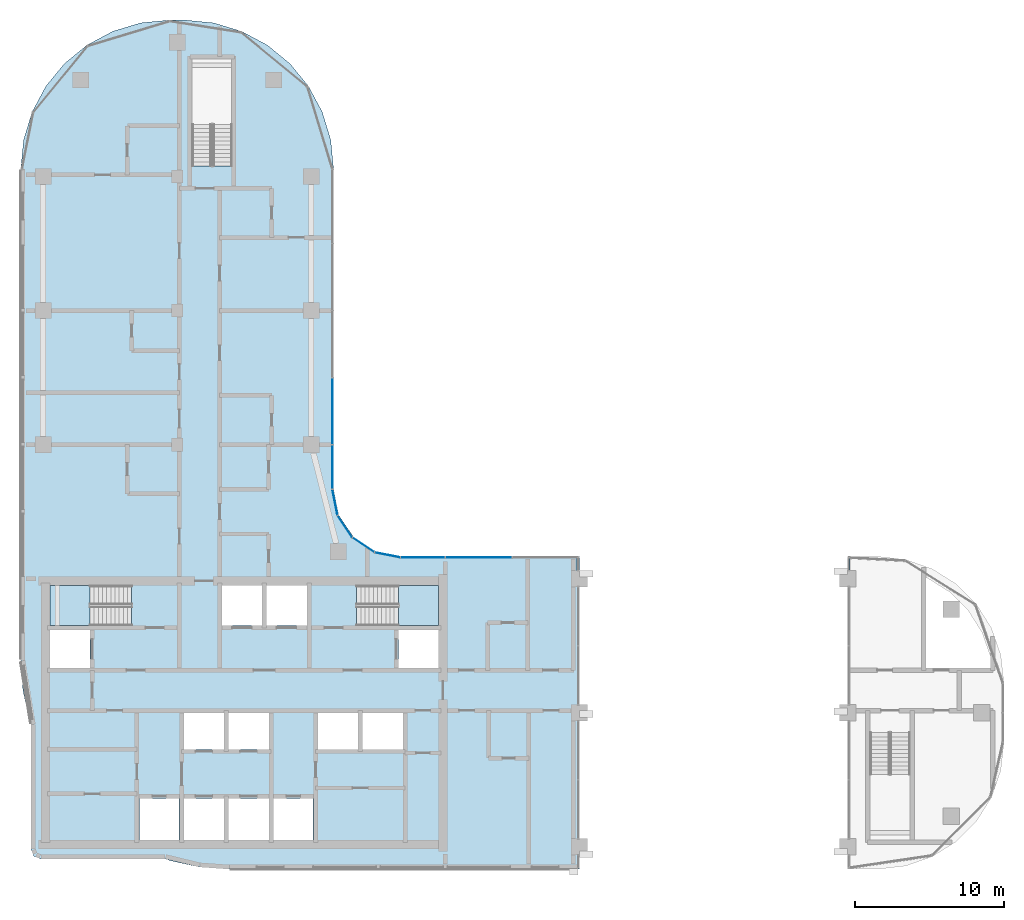
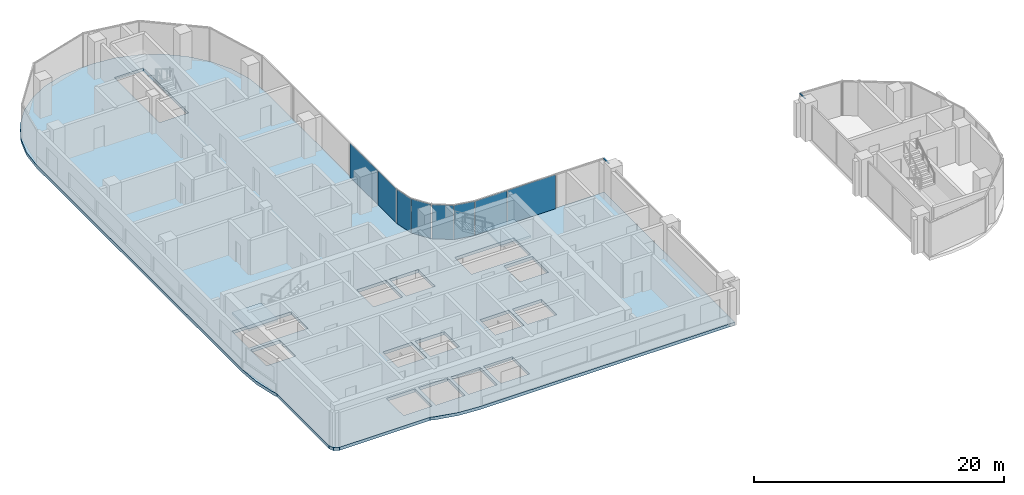
# One storey, part 7 of 23: 8 plates, 3 slabs, 2 members, 7 elements without a shape of their own.
"""IFC4 building model written with IfcOpenShell, lengths in metres."""

from ifc_helpers import new_model, si_unit, direction, frame, origin, origin_2d, place, context, subcontext, project, spatial, polyline, rectangle, outline, extrude, material, layer, layer_set, material_profile, profile_set, type_object, element, aggregate, save


model = new_model("IFC4")

# Units and contexts
model_context = context("Model", 3, precision=1e-05, world=origin(), true_north=direction((0.0, 1.0)))
body_context = subcontext(model_context, "Body", "Model", "MODEL_VIEW")
ifc_project = project(units=[si_unit("LENGTHUNIT", "METRE"), si_unit("AREAUNIT", "SQUARE_METRE"), si_unit("VOLUMEUNIT", "CUBIC_METRE"), si_unit("PLANEANGLEUNIT", "RADIAN"), si_unit("MASSUNIT", "GRAM", prefix="KILO")], contexts=[model_context])

# Site, building, storey
site_placement = place(None, origin())
site = spatial("IfcSite", under=ifc_project, at=site_placement, CompositionType="ELEMENT")
building_placement = place(site_placement, origin())
building = spatial("IfcBuilding", under=site, at=building_placement, Name="Ogive Portal Towers", CompositionType="ELEMENT")
storey_placement = place(building_placement, frame((0.0, 0.0, 149.60009765625)))
storey = spatial("IfcBuildingStorey", under=building, at=storey_placement, Name="L36", CompositionType="ELEMENT", Elevation=149.60009765625)

# Curtain wall, member
ifc_material_1 = material(Name="Glass, clear low-iron insulated glazing", Category="glass")
curtain_wall_type_1 = type_object("IfcCurtainWallType", Name="CW PORTAL REVEAL", PredefinedType="NOTDEFINED", material=ifc_material_1)
curtain_wall_1_placement = place(storey_placement, origin())
curtain_wall_1 = element("IfcCurtainWall", 1, at=curtain_wall_1_placement, inside=storey, type_object=curtain_wall_type_1, Name="A:L36:f07:cw0~3", PredefinedType="NOTDEFINED")
ifc_material_2 = material(Name="Aluminium 6063 anodised", Category="aluminium")
ifc_material_profile = material_profile(ifc_material_2, rectangle(XDim=0.1201171875, YDim=0.06005859375, at=origin_2d()), Name="AL 120x60")
ifc_profile_set = profile_set([ifc_material_profile], Name="Aluminium 6063 anodised")
member_type = type_object("IfcMemberType", Name="CW TRANSOM 60x120", PredefinedType="USERDEFINED", material=ifc_profile_set)
member_1_placement = place(storey_placement, frame((67.419921875, 40.050048828125, 3.369873046875), z_axis=(0.0, 1.0, 0.0), x_axis=(-1.0, 0.0, 0.0)))
member_1 = element("IfcMember", 2, at=member_1_placement, type_object=member_type, Name="transom", ObjectType="TRANSOM", PredefinedType="USERDEFINED", context=body_context, shape_type="SweptSolid", body=[
    extrude(rectangle(XDim=0.1201171875, YDim=0.06005859375, at=origin_2d()), origin(), (0.0, 0.0, 1.0), 0.869873046875),
])
aggregate(curtain_wall_1, [member_1])

curtain_wall_2_placement = place(storey_placement, origin())
curtain_wall_2 = element("IfcCurtainWall", 3, at=curtain_wall_2_placement, inside=storey, type_object=curtain_wall_type_1, Name="A:L36:f22:cw0~0", PredefinedType="NOTDEFINED")
member_2_placement = place(storey_placement, frame((85.580078125, 40.91552734375, 3.369873046875), z_axis=(0.0, -1.0, 0.0), x_axis=(1.0, 0.0, 0.0)))
member_2 = element("IfcMember", 4, at=member_2_placement, type_object=member_type, Name="transom", ObjectType="TRANSOM", PredefinedType="USERDEFINED", context=body_context, shape_type="SweptSolid", body=[
    extrude(rectangle(XDim=0.1201171875, YDim=0.06005859375, at=origin_2d()), origin(), (0.0, 0.0, 1.0), 0.865478515625),
])
aggregate(curtain_wall_2, [member_2])

# Curtain wall, plates
curtain_wall_type_2 = type_object("IfcCurtainWallType", Name="CW FRONT RIBBON 4500", PredefinedType="NOTDEFINED", material=ifc_material_1)
curtain_wall_3_placement = place(storey_placement, origin())
curtain_wall_3 = element("IfcCurtainWall", 5, at=curtain_wall_3_placement, inside=storey, type_object=curtain_wall_type_2, Name="A:L36:f08:cw0", PredefinedType="NOTDEFINED")
ifc_layer_1 = layer(ifc_material_1, 0.028076171875)
ifc_layer_set_1 = layer_set([ifc_layer_1], Name="CW PANEL IGU 28")
plate_type = type_object("IfcPlateType", Name="CW PANEL IGU 28", PredefinedType="CURTAIN_PANEL", material=ifc_layer_set_1)
plate_1_placement = place(storey_placement, frame((60.75, 40.919921875, 0.0), z_axis=(0.0, 0.0, 1.0), x_axis=(-1.0, 0.0, 0.0)))
plate_1 = element("IfcPlate", 6, at=plate_1_placement, type_object=plate_type, Name="panel", PredefinedType="CURTAIN_PANEL", context=body_context, shape_type="SweptSolid", body=[
    extrude(rectangle(XDim=4.43994140625, YDim=0.028076171875, at=origin_2d()), origin(), (0.0, 0.0, 1.0), 3.340087890625),
])
plate_2_placement = place(storey_placement, frame((56.99609375, 40.919921875, 0.0), z_axis=(0.0, 0.0, 1.0), x_axis=(-1.0, 0.0, 0.0)))
plate_2 = element("IfcPlate", 7, at=plate_2_placement, type_object=plate_type, Name="panel", PredefinedType="CURTAIN_PANEL", context=body_context, shape_type="SweptSolid", body=[
    extrude(rectangle(XDim=2.947998046875, YDim=0.028076171875, at=origin_2d()), origin(), (0.0, 0.0, 1.0), 3.340087890625),
])
aggregate(curtain_wall_3, [plate_1, plate_2])

curtain_wall_4_placement = place(storey_placement, origin())
curtain_wall_4 = element("IfcCurtainWall", 8, at=curtain_wall_4_placement, inside=storey, type_object=curtain_wall_type_2, Name="A:L36:f13:cw0", PredefinedType="NOTDEFINED")
plate_3_placement = place(storey_placement, frame((50.919921875, 46.99609375, 0.0), z_axis=(0.0, 0.0, 1.0), x_axis=(0.0, 1.0, 0.0)))
plate_3 = element("IfcPlate", 9, at=plate_3_placement, type_object=plate_type, Name="panel", PredefinedType="CURTAIN_PANEL", context=body_context, shape_type="SweptSolid", body=[
    extrude(rectangle(XDim=2.947998046875, YDim=0.028076171875, at=origin_2d()), origin(), (0.0, 0.0, 1.0), 3.340087890625),
])
plate_4_placement = place(storey_placement, frame((50.919921875, 50.75, 0.0), z_axis=(0.0, 0.0, 1.0), x_axis=(0.0, 1.0, 0.0)))
plate_4 = element("IfcPlate", 10, at=plate_4_placement, type_object=plate_type, Name="panel", PredefinedType="CURTAIN_PANEL", context=body_context, shape_type="SweptSolid", body=[
    extrude(rectangle(XDim=4.43994140625, YDim=0.028076171875, at=origin_2d()), origin(), (0.0, 0.0, 1.0), 3.340087890625),
])
aggregate(curtain_wall_4, [plate_3, plate_4])

curtain_wall_5_placement = place(storey_placement, origin())
curtain_wall_5 = element("IfcCurtainWall", 11, at=curtain_wall_5_placement, inside=storey, type_object=curtain_wall_type_2, Name="A:L36:f09:cwa", PredefinedType="NOTDEFINED")
plate_5_placement = place(storey_placement, frame((54.619384765625, 41.093505859375, 0.0), z_axis=(0.0, 0.0, 1.0), x_axis=(-0.980785280403, 0.195090322016, 0.0)))
plate_5 = element("IfcPlate", 12, at=plate_5_placement, type_object=plate_type, Name="panel", PredefinedType="CURTAIN_PANEL", context=body_context, shape_type="SweptSolid", body=[
    extrude(rectangle(XDim=1.7197265625, YDim=0.028076171875, at=origin_2d()), origin(), (0.0, 0.0, 1.0), 3.340087890625),
])
plate_6_placement = place(storey_placement, frame((53.00341796875, 41.763671875, 0.0), z_axis=(0.0, 0.0, 1.0), x_axis=(-0.831469612303, 0.55557023302, 0.0)))
plate_6 = element("IfcPlate", 13, at=plate_6_placement, type_object=plate_type, Name="panel", PredefinedType="CURTAIN_PANEL", context=body_context, shape_type="SweptSolid", body=[
    extrude(rectangle(XDim=1.7275390625, YDim=0.028076171875, at=origin_2d()), origin(), (0.0, 0.0, 1.0), 3.340087890625),
])
plate_7_placement = place(storey_placement, frame((51.763671875, 43.00341796875, 0.0), z_axis=(0.0, 0.0, 1.0), x_axis=(-0.55557023302, 0.831469612303, 0.0)))
plate_7 = element("IfcPlate", 14, at=plate_7_placement, type_object=plate_type, Name="panel", PredefinedType="CURTAIN_PANEL", context=body_context, shape_type="SweptSolid", body=[
    extrude(rectangle(XDim=1.7275390625, YDim=0.028076171875, at=origin_2d()), origin(), (0.0, 0.0, 1.0), 3.340087890625),
])
plate_8_placement = place(storey_placement, frame((51.093505859375, 44.619384765625, 0.0), z_axis=(0.0, 0.0, 1.0), x_axis=(-0.195090322016, 0.980785280403, 0.0)))
plate_8 = element("IfcPlate", 15, at=plate_8_placement, type_object=plate_type, Name="panel", PredefinedType="CURTAIN_PANEL", context=body_context, shape_type="SweptSolid", body=[
    extrude(rectangle(XDim=1.7197265625, YDim=0.028076171875, at=origin_2d()), origin(), (0.0, 0.0, 1.0), 3.340087890625),
])
aggregate(curtain_wall_5, [plate_5, plate_6, plate_7, plate_8])

# Stair, slab
ifc_material_3 = material(Name="Concrete C40/50", Category="concrete")
stair_type = type_object("IfcStairType", Name="INT-STAIR", PredefinedType="HALF_TURN_STAIR", material=ifc_material_3)
stair_1_placement = place(storey_placement, origin())
stair_1 = element("IfcStair", 16, at=stair_1_placement, inside=storey, type_object=stair_type, Name="L36 Exit Stair ST-A1", PredefinedType="HALF_TURN_STAIR")
ifc_layer_2 = layer(ifc_material_3, 0.199951171875)
ifc_layer_set_2 = layer_set([ifc_layer_2], Name="INT-LANDING")
slab_type_1 = type_object("IfcSlabType", Name="INT-LANDING", PredefinedType="LANDING", material=ifc_layer_set_2)
slab_1_placement = place(storey_placement, frame((0.0, 0.0, 1.64990234375)))
slab_1 = element("IfcSlab", 17, at=slab_1_placement, type_object=slab_type_1, Name="ST-A1 landing 1", PredefinedType="LANDING", context=body_context, shape_type="SweptSolid", body=[
    extrude(outline(polyline([(34.64990234375, 39.050048828125), (31.949951171875, 39.050048828125), (31.949951171875, 36.35009765625), (34.64990234375, 36.35009765625), (34.64990234375, 39.050048828125)])), origin(), (0.0, 0.0, 1.0), 0.199951171875),
])
aggregate(stair_1, [slab_1])

stair_2_placement = place(storey_placement, origin())
stair_2 = element("IfcStair", 18, at=stair_2_placement, inside=storey, type_object=stair_type, Name="L36 Exit Stair ST-A2", PredefinedType="HALF_TURN_STAIR")
slab_2_placement = place(storey_placement, frame((0.0, 0.0, 1.64990234375)))
slab_2 = element("IfcSlab", 19, at=slab_2_placement, type_object=slab_type_1, Name="ST-A2 landing 1", PredefinedType="LANDING", context=body_context, shape_type="SweptSolid", body=[
    extrude(outline(polyline([(55.35009765625, 36.35009765625), (58.050048828125, 36.35009765625), (58.050048828125, 39.050048828125), (55.35009765625, 39.050048828125), (55.35009765625, 36.35009765625)])), origin(), (0.0, 0.0, 1.0), 0.199951171875),
])
aggregate(stair_2, [slab_2])

# Slab
ifc_material_4 = material(Name="Concrete C45/55", Category="concrete")
ifc_layer_3 = layer(ifc_material_4, 0.300048828125)
ifc_layer_set_3 = layer_set([ifc_layer_3], Name="PT FLAT PLATE 300")
slab_type_2 = type_object("IfcSlabType", Name="PT FLAT PLATE 300", PredefinedType="FLOOR", material=ifc_layer_set_3)
slab_3_placement = place(storey_placement, frame((0.0, 0.0, -0.300048828125)))
element("IfcSlab", 20, at=slab_3_placement, inside=storey, type_object=slab_type_2, Name="Floor slab L36", PredefinedType="FLOOR", context=body_context, shape_type="SweptSolid", body=[
    extrude(outline(polyline([(30.0, 34.0), (30.142578125, 32.007568359375), (30.567138671875, 30.0556640625), (30.699951171875, 29.699462890625), (30.699951171875, 21.300048828125), (30.875732421875, 20.875732421875), (31.300048828125, 20.699951171875), (39.699462890625, 20.699951171875), (40.0556640625, 20.567138671875), (42.007568359375, 20.142578125), (44.0, 20.0), (67.5, 20.0), (67.5, 41.0), (55.5, 41.0), (53.77783203125, 41.342529296875), (52.318115234375, 42.318115234375), (51.342529296875, 43.77783203125), (51.0, 45.5), (51.0, 67.0), (50.807861328125, 68.950927734375), (50.23876953125, 70.826904296875), (49.314697265625, 72.5556640625), (48.071044921875, 74.071044921875), (46.5556640625, 75.314697265625), (44.826904296875, 76.23876953125), (42.950927734375, 76.807861328125), (41.0, 77.0), (40.0, 77.0), (38.049072265625, 76.807861328125), (36.173095703125, 76.23876953125), (34.4443359375, 75.314697265625), (32.928955078125, 74.071044921875), (31.685302734375, 72.5556640625), (30.76123046875, 70.826904296875), (30.192138671875, 68.950927734375), (30.0, 67.0), (30.0, 34.0)]), holes=[polyline([(40.6298828125, 21.969970703125), (37.969970703125, 21.969970703125), (37.969970703125, 24.72998046875), (40.6298828125, 24.72998046875), (40.6298828125, 21.969970703125)]), polyline([(43.64990234375, 24.75), (43.64990234375, 21.949951171875), (40.949951171875, 21.949951171875), (40.949951171875, 24.75), (43.64990234375, 24.75)]), polyline([(46.64990234375, 24.75), (46.64990234375, 21.949951171875), (43.949951171875, 21.949951171875), (43.949951171875, 24.75), (46.64990234375, 24.75)]), polyline([(43.64990234375, 30.5), (43.64990234375, 28.050048828125), (40.949951171875, 28.050048828125), (40.949951171875, 30.5), (43.64990234375, 30.5)]), polyline([(46.64990234375, 30.5), (46.64990234375, 28.050048828125), (43.949951171875, 28.050048828125), (43.949951171875, 30.5), (46.64990234375, 30.5)]), polyline([(34.64990234375, 36.050048828125), (34.64990234375, 33.5), (31.949951171875, 33.5), (31.949951171875, 36.050048828125), (34.64990234375, 36.050048828125)]), polyline([(31.951904296875, 39.048095703125), (37.447998046875, 39.048095703125), (37.447998046875, 36.35205078125), (31.951904296875, 36.35205078125), (31.951904296875, 39.048095703125)]), polyline([(46.199951171875, 39.050048828125), (46.199951171875, 36.35009765625), (43.5, 36.35009765625), (43.5, 39.050048828125), (46.199951171875, 39.050048828125)]), polyline([(44.197998046875, 74.447998046875), (44.197998046875, 67.201904296875), (41.501953125, 67.201904296875), (41.501953125, 74.447998046875), (44.197998046875, 74.447998046875)]), polyline([(49.6298828125, 21.969970703125), (46.969970703125, 21.969970703125), (46.969970703125, 24.72998046875), (49.6298828125, 24.72998046875), (49.6298828125, 21.969970703125)]), polyline([(52.64990234375, 30.5), (52.64990234375, 28.050048828125), (49.949951171875, 28.050048828125), (49.949951171875, 30.5), (52.64990234375, 30.5)]), polyline([(55.64990234375, 30.5), (55.64990234375, 28.050048828125), (52.949951171875, 28.050048828125), (52.949951171875, 30.5), (55.64990234375, 30.5)]), polyline([(58.050048828125, 36.050048828125), (58.050048828125, 33.5), (55.35009765625, 33.5), (55.35009765625, 36.050048828125), (58.050048828125, 36.050048828125)]), polyline([(49.199951171875, 36.35009765625), (46.5, 36.35009765625), (46.5, 39.050048828125), (49.199951171875, 39.050048828125), (49.199951171875, 36.35009765625)]), polyline([(52.552001953125, 36.35205078125), (52.552001953125, 39.048095703125), (58.048095703125, 39.048095703125), (58.048095703125, 36.35205078125), (52.552001953125, 36.35205078125)])]), origin(), (0.0, 0.0, 1.0), 0.300048828125),
])

save(model, "model.ifc")
